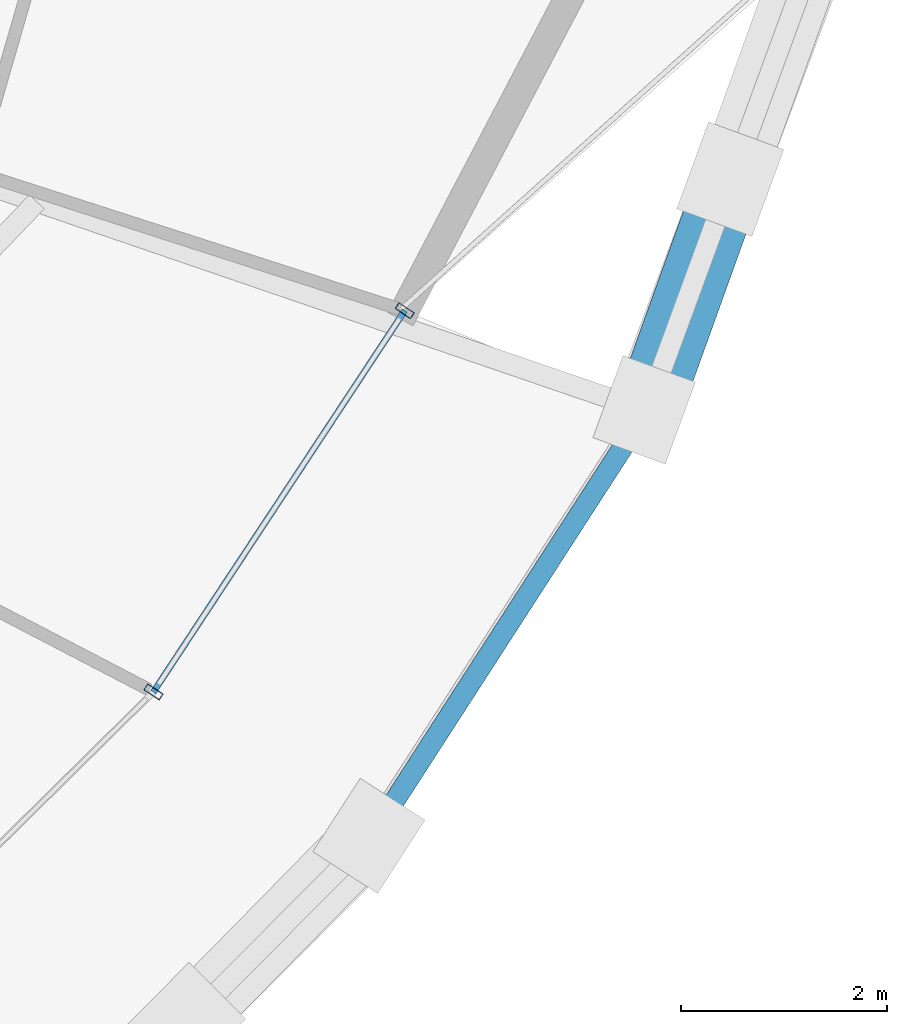
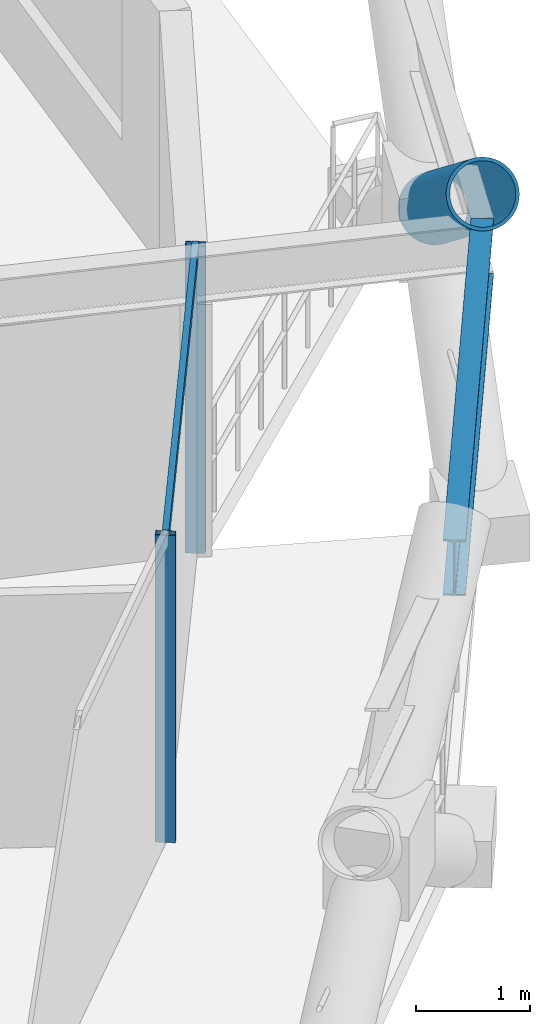
# One storey, part 12 of 21: 4 members, 1 beam, 1 element without a shape of its own.
"""IFC4 building model written with IfcOpenShell, lengths in metres."""

from ifc_helpers import new_model, si_unit, direction, frame, origin, origin_2d, place, context, subcontext, project, spatial, hollow_rectangle, hollow_circle, i_section, extrude, material, layer, layer_set, material_profile, profile_set, type_object, element, aggregate, save


model = new_model("IFC4")

# Units and contexts
model_context = context("Model", 3, precision=1e-05, world=origin(), true_north=direction((0.0, 1.0)))
body_context = subcontext(model_context, "Body", "Model", "MODEL_VIEW")
ifc_project = project(units=[si_unit("LENGTHUNIT", "METRE"), si_unit("AREAUNIT", "SQUARE_METRE"), si_unit("VOLUMEUNIT", "CUBIC_METRE"), si_unit("PLANEANGLEUNIT", "RADIAN"), si_unit("MASSUNIT", "GRAM", prefix="KILO")], contexts=[model_context])

# Site, building, storey
site_placement = place(None, origin())
site = spatial("IfcSite", under=ifc_project, at=site_placement, CompositionType="ELEMENT")
building_placement = place(site_placement, origin())
building = spatial("IfcBuilding", under=site, at=building_placement, Name="Veldorina Hangang Commons", CompositionType="ELEMENT")
storey_placement = place(building_placement, frame((0.0, 0.0, 73.60009765625)))
storey = spatial("IfcBuildingStorey", under=building, at=storey_placement, Name="L18", CompositionType="ELEMENT", Elevation=73.60009765625)

# Beam
ifc_material_1 = material(Name="Steel SM420-TMC", Category="steel")
ifc_material_profile_1 = material_profile(ifc_material_1, i_section(OverallWidth=0.199951171875, OverallDepth=0.60009765625, WebThickness=0.010986328125, FlangeThickness=0.01708984375, FilletRadius=0.01806640625, at=origin_2d()), Name="H-600x200x11x17")
ifc_profile_set_1 = profile_set([ifc_material_profile_1], Name="Steel SM420-TMC")
beam_type = type_object("IfcBeamType", Name="BM-RB600", PredefinedType="BEAM", material=ifc_profile_set_1)
beam_placement = place(storey_placement, frame((56.101318359375, 10.673828125, 3.039794921875), z_axis=(0.542555966662, 0.840019656341, 0.0), x_axis=(-0.840019656341, 0.542555966662, 0.0)))
element("IfcBeam", 1, at=beam_placement, inside=storey, type_object=beam_type, Name="L18 perimeter hoop ring beam 29", PredefinedType="BEAM", context=body_context, shape_type="SweptSolid", body=[
    extrude(i_section(OverallWidth=0.199951171875, OverallDepth=0.60009765625, WebThickness=0.010986328125, FlangeThickness=0.01708984375, FilletRadius=0.01806640625, at=origin_2d()), origin(), (0.0, 0.0, 1.0), 4.936767578125),
])

# Curtain wall, members
ifc_material_2 = material(Name="Glass Low-E Triple IGU", Category="glass")
ifc_layer = layer(ifc_material_2, 0.179931640625)
ifc_layer_set = layer_set([ifc_layer], Name="Glass Low-E Triple IGU")
curtain_wall_type = type_object("IfcCurtainWallType", Name="CW-SYS-Z1", PredefinedType="NOTDEFINED", material=ifc_layer_set)
curtain_wall_placement = place(storey_placement, origin())
curtain_wall = element("IfcCurtainWall", 2, at=curtain_wall_placement, inside=storey, type_object=curtain_wall_type, Name="L18 unitised curtain wall CW-L18-R2", PredefinedType="NOTDEFINED")
ifc_material_3 = material(Name="Aluminium Anodized AA6063-T6", Category="aluminium")
ifc_material_profile_2 = material_profile(ifc_material_3, hollow_rectangle(XDim=0.070068359375, YDim=0.179931640625, WallThickness=0.00390625, at=origin_2d()), Name="ALU-RHS-180x70x4")
ifc_profile_set_2 = profile_set([ifc_material_profile_2], Name="Aluminium Anodized AA6063-T6")
member_type_1 = type_object("IfcMemberType", Name="CW-MUL-180", PredefinedType="MULLION", material=ifc_profile_set_2)
member_1_placement = place(storey_placement, frame((53.986083984375, 12.087158203125, 0.0), z_axis=(0.0, 0.0, 1.0), x_axis=(0.550335023262, 0.834943927561, 0.0)))
member_1 = element("IfcMember", 3, at=member_1_placement, type_object=member_type_1, Name="CW-L18-R2 vertical mullion 4", PredefinedType="MULLION", context=body_context, shape_type="SweptSolid", body=[
    extrude(hollow_rectangle(XDim=0.070068359375, YDim=0.179931640625, WallThickness=0.00390625, at=origin_2d()), origin(), (0.0, 0.0, 1.0), 3.2998046875),
])
member_2_placement = place(storey_placement, frame((56.4296875, 15.794189453125, 0.0), z_axis=(0.0, 0.0, 1.0), x_axis=(-0.550335023262, -0.834943927561, 0.0)))
member_2 = element("IfcMember", 4, at=member_2_placement, type_object=member_type_1, Name="CW-L18-R2 vertical mullion 5", PredefinedType="MULLION", context=body_context, shape_type="SweptSolid", body=[
    extrude(hollow_rectangle(XDim=0.070068359375, YDim=0.179931640625, WallThickness=0.00390625, at=origin_2d()), origin(), (0.0, 0.0, 1.0), 3.2998046875),
])
ifc_material_profile_3 = material_profile(ifc_material_3, hollow_rectangle(XDim=0.06005859375, YDim=0.139892578125, WallThickness=0.00341796875, at=origin_2d()), Name="ALU-RHS-140x60x3.5")
ifc_profile_set_3 = profile_set([ifc_material_profile_3], Name="Aluminium Anodized AA6063-T6")
member_type_2 = type_object("IfcMemberType", Name="CW-TRN-140", PredefinedType="USERDEFINED", material=ifc_profile_set_3)
member_3_placement = place(storey_placement, frame((53.986083984375, 12.087158203125, 3.260009765625), z_axis=(0.550365635408, 0.83492374943, 0.0), x_axis=(-0.83492374943, 0.550365635408, 0.0)))
member_3 = element("IfcMember", 5, at=member_3_placement, type_object=member_type_2, Name="CW-L18-R2 facet 5 transom 1", ObjectType="TRANSOM", PredefinedType="USERDEFINED", context=body_context, shape_type="SweptSolid", body=[
    extrude(hollow_rectangle(XDim=0.06005859375, YDim=0.139892578125, WallThickness=0.00341796875, at=origin_2d()), origin(), (0.0, 0.0, 1.0), 4.43994140625),
])
aggregate(curtain_wall, [member_1, member_2, member_3])

# Member
ifc_material_4 = material(Name="Steel SM460-TMC", Category="steel")
ifc_material_profile_4 = material_profile(ifc_material_4, hollow_circle(Radius=0.324951171875, WallThickness=0.031982421875, at=origin_2d()), Name="CHS-650x32")
ifc_profile_set_4 = profile_set([ifc_material_profile_4], Name="Steel SM460-TMC")
member_type_3 = type_object("IfcMemberType", Name="DG-CHS650", PredefinedType="BRACE", material=ifc_profile_set_4)
member_4_placement = place(storey_placement, frame((59.59521484375, 17.073486328125, 1.798828125), z_axis=(-0.270740185494, -0.752110370893, 0.600857505532), x_axis=(0.940895205262, -0.338697819178, 0.0)))
element("IfcMember", 6, at=member_4_placement, inside=storey, type_object=member_type_3, Name="L18 split perimeter diagrid upper brace 31", PredefinedType="BRACE", context=body_context, shape_type="SweptSolid", body=[
    extrude(hollow_circle(Radius=0.324951171875, WallThickness=0.031982421875, at=origin_2d()), origin(), (0.0, 0.0, 1.0), 2.997314453125),
])

save(model, "model.ifc")
